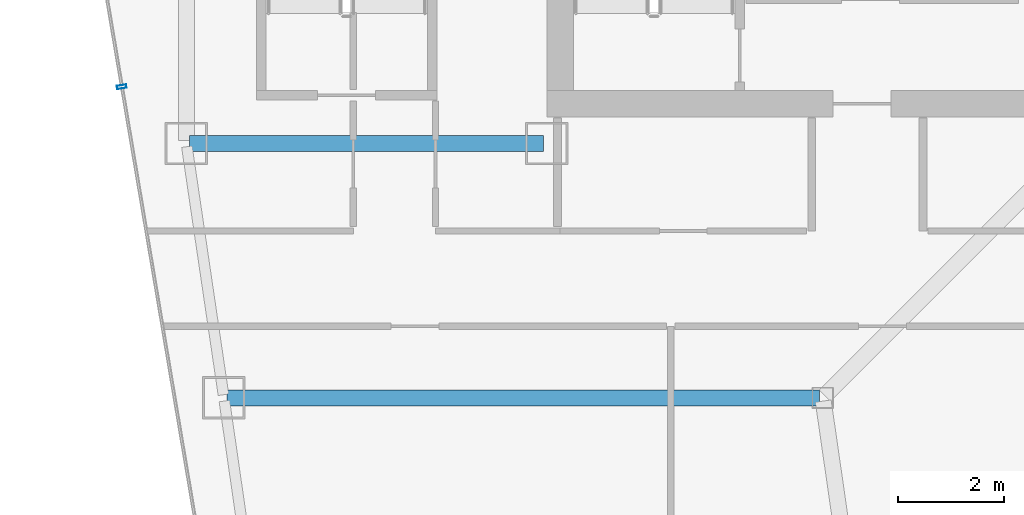
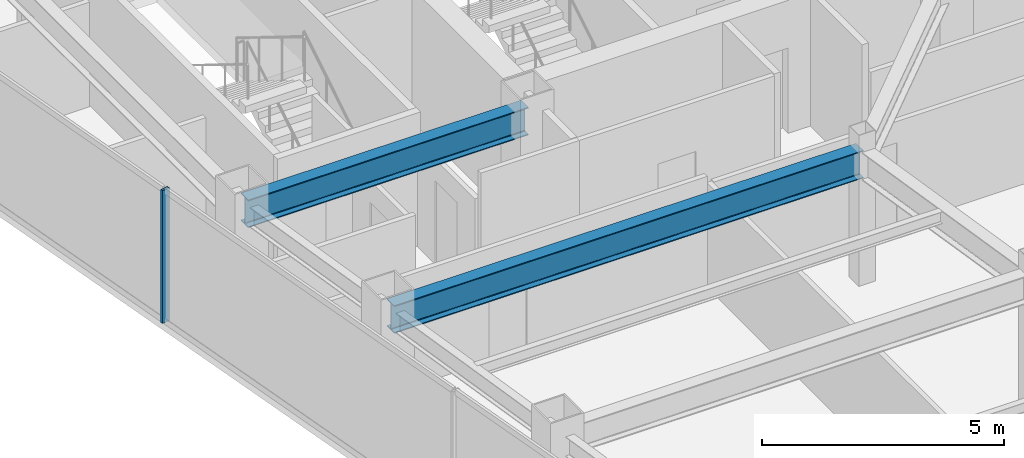
# One storey, part 11 of 34: 2 beams, 1 member, 1 element without a shape of its own.
"""IFC4 building model written with IfcOpenShell, lengths in metres."""

from ifc_helpers import new_model, si_unit, direction, frame, origin, origin_2d, place, context, subcontext, project, spatial, hollow_rectangle, i_section, extrude, material, material_profile, profile_set, type_object, element, aggregate, save


model = new_model("IFC4")

# Units and contexts
model_context = context("Model", 3, precision=1e-05, world=origin(), true_north=direction((0.0, 1.0)))
body_context = subcontext(model_context, "Body", "Model", "MODEL_VIEW")
ifc_project = project(units=[si_unit("LENGTHUNIT", "METRE"), si_unit("AREAUNIT", "SQUARE_METRE"), si_unit("VOLUMEUNIT", "CUBIC_METRE"), si_unit("PLANEANGLEUNIT", "RADIAN"), si_unit("MASSUNIT", "GRAM", prefix="KILO")], contexts=[model_context])

# Site, building, storey
site_placement = place(None, origin())
site = spatial("IfcSite", under=ifc_project, at=site_placement, CompositionType="ELEMENT")
building_placement = place(site_placement, origin())
building = spatial("IfcBuilding", under=site, at=building_placement, Name="Saevonmaru Cultural Tower", CompositionType="ELEMENT")
storey_placement = place(building_placement, frame((0.0, 0.0, 220.800048828125)))
storey = spatial("IfcBuildingStorey", under=building, at=storey_placement, Name="L51", CompositionType="ELEMENT", Elevation=220.800048828125)

# Beams
ifc_material_1 = material(Name="Steel SM355", Category="steel")
ifc_material_profile_1 = material_profile(ifc_material_1, i_section(OverallWidth=0.300048828125, OverallDepth=0.699951171875, WebThickness=0.012939453125, FlangeThickness=0.02392578125, FilletRadius=0.02587890625, at=origin_2d()), Name="H-700x300x13x24")
ifc_profile_set_1 = profile_set([ifc_material_profile_1], Name="Steel SM355")
beam_type = type_object("IfcBeamType", Name="BM-G-H700", PredefinedType="BEAM", material=ifc_profile_set_1)
beam_1_placement = place(storey_placement, frame((6.860107421875, 42.39990234375, 3.0), z_axis=(1.0, 0.0, 0.0), x_axis=(0.0, 1.0, 0.0)))
element("IfcBeam", 1, at=beam_1_placement, inside=storey, type_object=beam_type, Name="L51 Core South Girder 1", PredefinedType="BEAM", context=body_context, shape_type="SweptSolid", body=[
    extrude(i_section(OverallWidth=0.300048828125, OverallDepth=0.699951171875, WebThickness=0.012939453125, FlangeThickness=0.02392578125, FilletRadius=0.02587890625, at=origin_2d()), origin(), (0.0, 0.0, 1.0), 6.679931640625),
])
beam_2_placement = place(storey_placement, frame((7.568115234375, 37.60009765625, 3.0), z_axis=(1.0, 0.0, 0.0), x_axis=(0.0, 1.0, 0.0)))
element("IfcBeam", 2, at=beam_2_placement, inside=storey, type_object=beam_type, Name="L51 West Wing Transverse Girder 4", PredefinedType="BEAM", context=body_context, shape_type="SweptSolid", body=[
    extrude(i_section(OverallWidth=0.300048828125, OverallDepth=0.699951171875, WebThickness=0.012939453125, FlangeThickness=0.02392578125, FilletRadius=0.02587890625, at=origin_2d()), origin(), (0.0, 0.0, 1.0), 11.179931640625),
])

# Curtain wall, member
ifc_material_2 = material(Name="Satin Bronze Anodised Aluminium", Category="aluminium")
curtain_wall_type = type_object("IfcCurtainWallType", Name="CW-TYP-B", PredefinedType="NOTDEFINED", material=ifc_material_2)
curtain_wall_placement = place(storey_placement, origin())
curtain_wall = element("IfcCurtainWall", 3, at=curtain_wall_placement, inside=storey, type_object=curtain_wall_type, Name="L51 Unitised Curtain Wall E12", PredefinedType="NOTDEFINED")
ifc_material_profile_2 = material_profile(ifc_material_2, hollow_rectangle(XDim=0.06494140625, YDim=0.179931640625, WallThickness=0.00390625, at=origin_2d()), Name="ALU-MULL-180x65x4")
ifc_profile_set_2 = profile_set([ifc_material_profile_2], Name="Satin Bronze Anodised Aluminium")
member_type = type_object("IfcMemberType", Name="ML-CW-180x65", PredefinedType="MULLION", material=ifc_profile_set_2)
member_placement = place(storey_placement, frame((5.579345703125, 43.470458984375, 0.0), z_axis=(0.0, 0.0, 1.0), x_axis=(0.16692169721, -0.985970155228, 0.0)))
member = element("IfcMember", 4, at=member_placement, type_object=member_type, Name="CW-TW-L51-E12 mullion 2", PredefinedType="MULLION", context=body_context, shape_type="SweptSolid", body=[
    extrude(hollow_rectangle(XDim=0.06494140625, YDim=0.179931640625, WallThickness=0.00390625, at=origin_2d()), origin(), (0.0, 0.0, 1.0), 3.349853515625),
])
aggregate(curtain_wall, [member])

save(model, "model.ifc")
